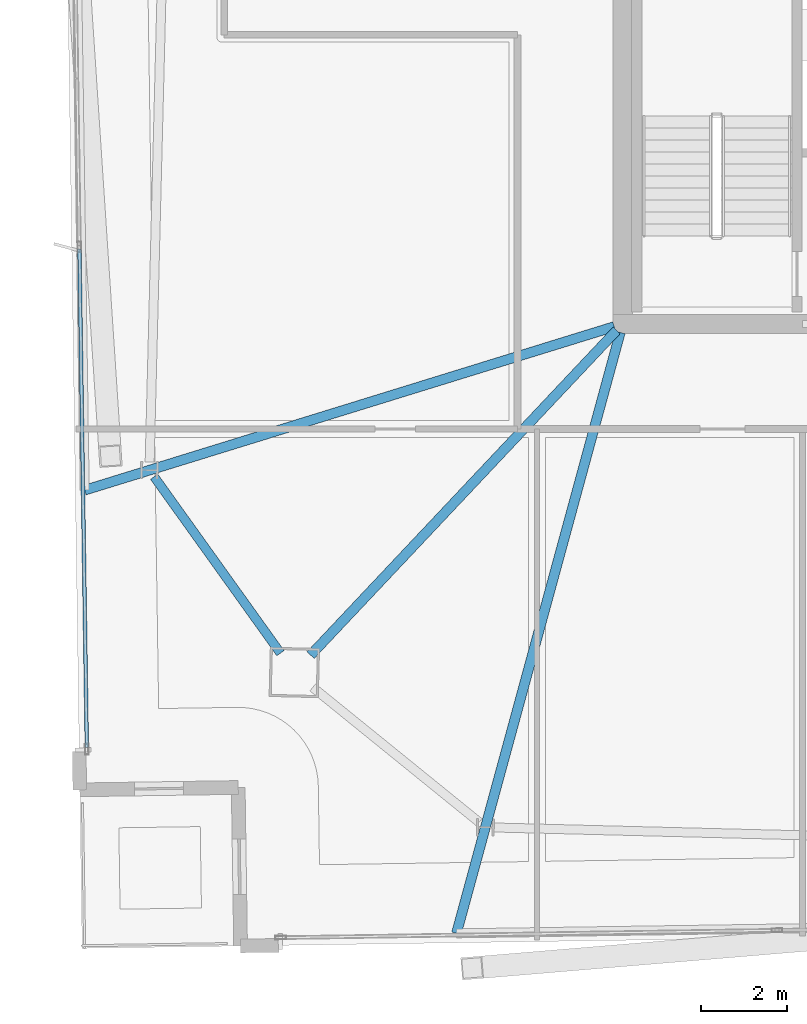
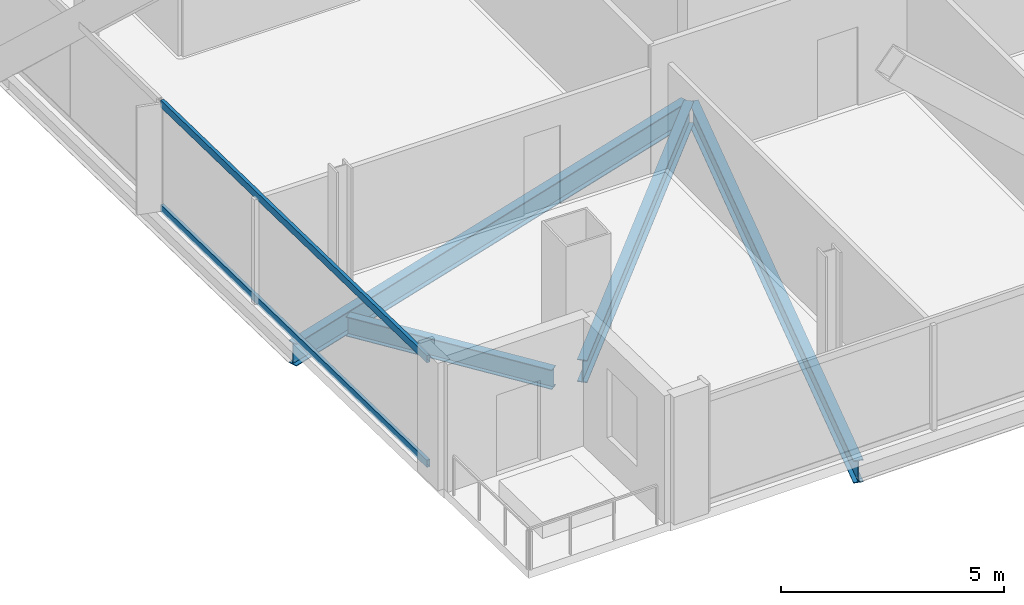
# One storey, part 3 of 25: 4 beams, 2 members, 1 element without a shape of its own.
"""IFC4 building model written with IfcOpenShell, lengths in metres."""

from ifc_helpers import new_model, si_unit, direction, frame, origin, origin_2d, place, context, subcontext, project, spatial, hollow_rectangle, i_section, extrude, material, material_profile, profile_set, type_object, element, aggregate, save


model = new_model("IFC4")

# Units and contexts
model_context = context("Model", 3, precision=1e-05, world=origin(), true_north=direction((0.0, 1.0)))
body_context = subcontext(model_context, "Body", "Model", "MODEL_VIEW")
ifc_project = project(units=[si_unit("LENGTHUNIT", "METRE"), si_unit("AREAUNIT", "SQUARE_METRE"), si_unit("VOLUMEUNIT", "CUBIC_METRE"), si_unit("PLANEANGLEUNIT", "RADIAN"), si_unit("MASSUNIT", "GRAM", prefix="KILO")], contexts=[model_context])

# Site, building, storey
site_placement = place(None, origin())
site = spatial("IfcSite", under=ifc_project, at=site_placement, CompositionType="ELEMENT")
building_placement = place(site_placement, origin())
building = spatial("IfcBuilding", under=site, at=building_placement, Name="Haldenkirk Collegiate Tower", CompositionType="ELEMENT")
storey_placement = place(building_placement, frame((0.0, 0.0, 332.699951171875)))
storey = spatial("IfcBuildingStorey", under=building, at=storey_placement, Name="L84", CompositionType="ELEMENT", Elevation=332.699951171875)

# Beams
ifc_material_1 = material(Name="Steel ASTM A992 Grade 50", Category="steel")
ifc_material_profile_1 = material_profile(ifc_material_1, i_section(OverallWidth=0.22998046875, OverallDepth=0.616943359375, WebThickness=0.01318359375, FlangeThickness=0.022216796875, at=origin_2d()), Name="W24X94")
ifc_profile_set_1 = profile_set([ifc_material_profile_1], Name="Steel ASTM A992 Grade 50")
beam_type_1 = type_object("IfcBeamType", Name="BM-GIRDER-W24X94", PredefinedType="BEAM", material=ifc_profile_set_1)
beam_1_placement = place(storey_placement, frame((19.717041015625, 10.2705078125, -0.568359375), z_axis=(0.685767478835, 0.72782069562, 0.0), x_axis=(-0.72782069562, 0.685767478835, 0.0)))
element("IfcBeam", 1, at=beam_1_placement, inside=storey, type_object=beam_type_1, Name="L84 primary floor girder 04", PredefinedType="BEAM", context=body_context, shape_type="SweptSolid", body=[
    extrude(i_section(OverallWidth=0.22998046875, OverallDepth=0.616943359375, WebThickness=0.01318359375, FlangeThickness=0.022216796875, at=origin_2d()), origin(), (0.0, 0.0, 1.0), 10.4150390625),
])
beam_2_placement = place(storey_placement, frame((14.44384765625, 14.120849609375, -0.568359375), z_axis=(0.955443387992, 0.295174410041, 0.0), x_axis=(-0.295174410041, 0.955443387992, 0.0)))
element("IfcBeam", 2, at=beam_2_placement, inside=storey, type_object=beam_type_1, Name="L84 primary floor girder 13", PredefinedType="BEAM", context=body_context, shape_type="SweptSolid", body=[
    extrude(i_section(OverallWidth=0.22998046875, OverallDepth=0.616943359375, WebThickness=0.01318359375, FlangeThickness=0.022216796875, at=origin_2d()), origin(), (0.0, 0.0, 1.0), 12.936767578125),
])
beam_3_placement = place(storey_placement, frame((23.12109375, 3.776611328125, -0.568359375), z_axis=(0.26310319591, 0.964767696548, 0.0), x_axis=(-0.964767696548, 0.26310319591, 0.0)))
element("IfcBeam", 3, at=beam_3_placement, inside=storey, type_object=beam_type_1, Name="L84 primary floor girder 14", PredefinedType="BEAM", context=body_context, shape_type="SweptSolid", body=[
    extrude(i_section(OverallWidth=0.22998046875, OverallDepth=0.616943359375, WebThickness=0.01318359375, FlangeThickness=0.022216796875, at=origin_2d()), origin(), (0.0, 0.0, 1.0), 14.537841796875),
])
ifc_material_profile_2 = material_profile(ifc_material_1, i_section(OverallWidth=0.2099609375, OverallDepth=0.537109375, WebThickness=0.010986328125, FlangeThickness=0.017333984375, at=origin_2d()), Name="W21X68")
ifc_profile_set_2 = profile_set([ifc_material_profile_2], Name="Steel ASTM A992 Grade 50")
beam_type_2 = type_object("IfcBeamType", Name="BM-SPANDREL-W21X68", PredefinedType="SPANDREL", material=ifc_profile_set_2)
beam_4_placement = place(storey_placement, frame((16.064208984375, 14.434814453125, -0.528564453125), z_axis=(0.582300220922, -0.812973832737, 0.0), x_axis=(0.812973832737, 0.582300220922, 0.0)))
element("IfcBeam", 4, at=beam_4_placement, inside=storey, type_object=beam_type_2, Name="L84 perimeter spandrel beam 12", PredefinedType="SPANDREL", context=body_context, shape_type="SweptSolid", body=[
    extrude(i_section(OverallWidth=0.2099609375, OverallDepth=0.537109375, WebThickness=0.010986328125, FlangeThickness=0.017333984375, at=origin_2d()), origin(), (0.0, 0.0, 1.0), 5.064453125),
])

# Curtain wall, members
ifc_material_2 = material(Name="Anodised architectural bronze aluminium", Category="aluminium")
curtain_wall_type = type_object("IfcCurtainWallType", Name="CW-SYS1B-CONVEX-HI", PredefinedType="USERDEFINED", material=ifc_material_2)
curtain_wall_placement = place(storey_placement, origin())
curtain_wall = element("IfcCurtainWall", 5, at=curtain_wall_placement, inside=storey, type_object=curtain_wall_type, Name="L84 Upper tower high-wind convex bronze unitised curtain wall", ObjectType="UNITISED CURTAIN WALL", PredefinedType="USERDEFINED")
ifc_material_profile_3 = material_profile(ifc_material_2, hollow_rectangle(XDim=0.0849609375, YDim=0.199951171875, WallThickness=0.0048828125, at=origin_2d()), Name="CW-TRN-1B")
ifc_profile_set_3 = profile_set([ifc_material_profile_3], Name="Anodised architectural bronze aluminium")
member_type = type_object("IfcMemberType", Name="CW-TRN-1B", PredefinedType="USERDEFINED", material=ifc_profile_set_3)
member_1_placement = place(storey_placement, frame((14.492919921875, 8.114013671875, 0.04248046875), z_axis=(-0.014829810838, 0.999890032309, 0.0), x_axis=(-0.999890032309, -0.014829810838, 0.0)))
member_1 = element("IfcMember", 6, at=member_1_placement, type_object=member_type, Name="CW-1B transom 1.1", ObjectType="TRANSOM", PredefinedType="USERDEFINED", context=body_context, shape_type="SweptSolid", body=[
    extrude(hollow_rectangle(XDim=0.0849609375, YDim=0.199951171875, WallThickness=0.0048828125, at=origin_2d()), origin(), (0.0, 0.0, 1.0), 11.63916015625),
])
member_2_placement = place(storey_placement, frame((14.492919921875, 8.114013671875, 2.905517578125), z_axis=(-0.014829810838, 0.999890032309, 0.0), x_axis=(-0.999890032309, -0.014829810838, 0.0)))
member_2 = element("IfcMember", 7, at=member_2_placement, type_object=member_type, Name="CW-1B transom 1.2", ObjectType="TRANSOM", PredefinedType="USERDEFINED", context=body_context, shape_type="SweptSolid", body=[
    extrude(hollow_rectangle(XDim=0.0849609375, YDim=0.199951171875, WallThickness=0.0048828125, at=origin_2d()), origin(), (0.0, 0.0, 1.0), 11.63916015625),
])
aggregate(curtain_wall, [member_1, member_2])

save(model, "model.ifc")
